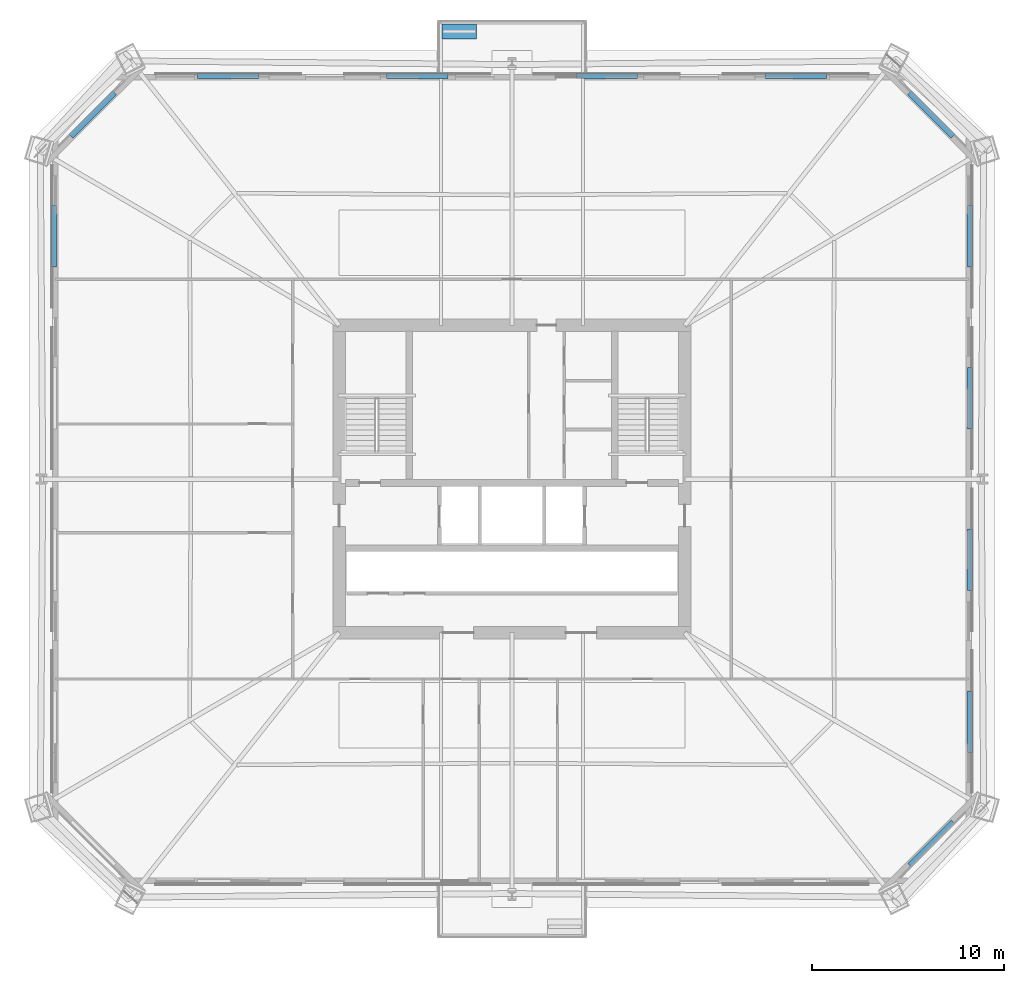
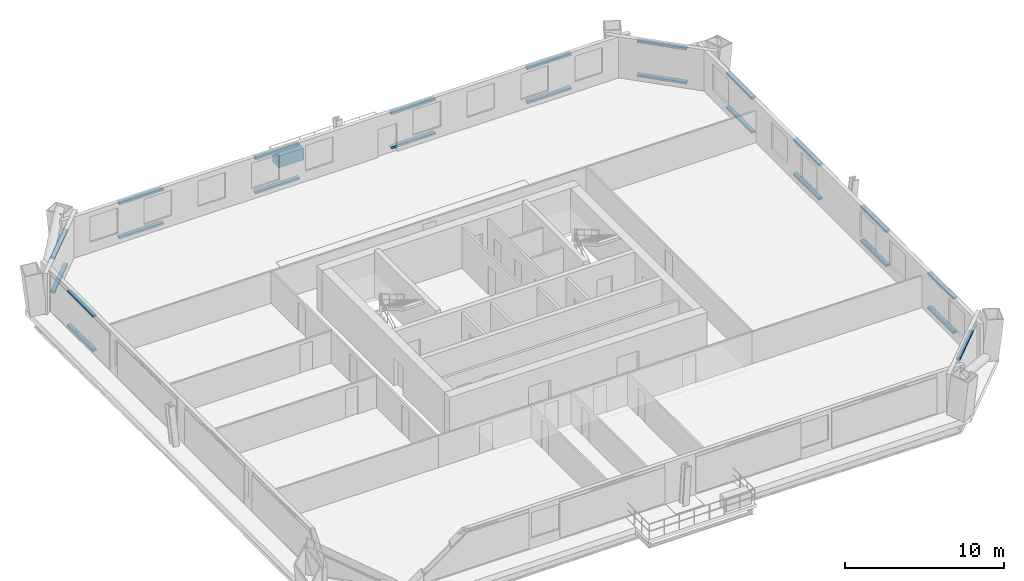
# One storey, part 6 of 8: 24 discrete accessories.
"""IFC4 building model written with IfcOpenShell, lengths in metres."""

from ifc_helpers import new_model, si_unit, direction, frame, origin, origin_2d, place, context, subcontext, project, spatial, rectangle, extrude, material, type_object, element, save


model = new_model("IFC4")

# Units and contexts
model_context = context("Model", 3, precision=1e-05, world=origin(), true_north=direction((0.0, 1.0)))
body_context = subcontext(model_context, "Body", "Model", "MODEL_VIEW")
ifc_project = project(units=[si_unit("LENGTHUNIT", "METRE"), si_unit("AREAUNIT", "SQUARE_METRE"), si_unit("VOLUMEUNIT", "CUBIC_METRE"), si_unit("PLANEANGLEUNIT", "RADIAN"), si_unit("MASSUNIT", "GRAM", prefix="KILO")], contexts=[model_context])

# Site, building, storey
site_placement = place(None, origin())
site = spatial("IfcSite", under=ifc_project, at=site_placement, CompositionType="ELEMENT")
building_placement = place(site_placement, origin())
building = spatial("IfcBuilding", under=site, at=building_placement, Name="Caelvoria Tower", CompositionType="ELEMENT")
storey_placement = place(building_placement, frame((0.0, 0.0, 46.0)))
storey = spatial("IfcBuildingStorey", under=building, at=storey_placement, Name="L11", CompositionType="ELEMENT", Elevation=46.0)

# Discrete accessories
ifc_material_1 = material(Name="Anodised Bronze Stainless Bracket", Category="bronze")
discrete_accessory_type_1 = type_object("IfcDiscreteAccessoryType", Name="Solar Screen Outrigger Support Bracket", PredefinedType="BRACKET", material=ifc_material_1)
for number, where, z_axis, x_axis, name in (
    (1, (67.82861328125, 13.021484375, 2.85009765625), (0.0, 0.0, 1.0), (0.707106781187, 0.707106781187, 0.0), "Upper Screen Band Bracket L11-E1-00"),
    (2, (69.846923828125, 19.3701171875, 0.240234375), (0.0, 0.0, 1.0), (0.0, 1.0, 0.0), "Solar Screen Bracket L11-E2-00"),
    (3, (69.846923828125, 19.3701171875, 2.85009765625), (0.0, 0.0, 1.0), (0.0, 1.0, 0.0), "Upper Screen Band Bracket L11-E2-00"),
    (4, (69.846923828125, 27.7900390625, 0.240234375), (0.0, 0.0, 1.0), (0.0, 1.0, 0.0), "Solar Screen Bracket L11-E2-01"),
    (5, (69.846923828125, 27.7900390625, 2.85009765625), (0.0, 0.0, 1.0), (0.0, 1.0, 0.0), "Upper Screen Band Bracket L11-E2-01"),
    (6, (69.846923828125, 36.2099609375, 0.240234375), (0.0, 0.0, 1.0), (0.0, 1.0, 0.0), "Solar Screen Bracket L11-E2-02"),
    (7, (69.846923828125, 36.2099609375, 2.85009765625), (0.0, 0.0, 1.0), (0.0, 1.0, 0.0), "Upper Screen Band Bracket L11-E2-02"),
    (8, (69.846923828125, 44.6298828125, 0.240234375), (0.0, 0.0, 1.0), (0.0, 1.0, 0.0), "Solar Screen Bracket L11-E2-03"),
    (9, (69.846923828125, 44.6298828125, 2.85009765625), (0.0, 0.0, 1.0), (0.0, 1.0, 0.0), "Upper Screen Band Bracket L11-E2-03"),
    (10, (67.82861328125, 50.978515625, 0.240234375), (0.0, 0.0, 1.0), (-0.707106781187, 0.707106781187, 0.0), "Solar Screen Bracket L11-E3-00"),
    (11, (67.82861328125, 50.978515625, 2.85009765625), (0.0, 0.0, 1.0), (-0.707106781187, 0.707106781187, 0.0), "Upper Screen Band Bracket L11-E3-00"),
    (12, (60.767578125, 52.9970703125, 0.240234375), (0.0, 0.0, 1.0), (-1.0, 0.0, 0.0), "Solar Screen Bracket L11-E4-00"),
    (13, (60.767578125, 52.9970703125, 2.85009765625), (0.0, 0.0, 1.0), (-1.0, 0.0, 0.0), "Upper Screen Band Bracket L11-E4-00"),
    (14, (50.922607421875, 52.9970703125, 0.240234375), (0.0, 0.0, 1.0), (-1.0, 0.0, 0.0), "Solar Screen Bracket L11-E4-01"),
    (15, (50.922607421875, 52.9970703125, 2.85009765625), (0.0, 0.0, 1.0), (-1.0, 0.0, 0.0), "Upper Screen Band Bracket L11-E4-01"),
    (16, (41.077392578125, 52.9970703125, 0.240234375), (0.0, 0.0, 1.0), (-1.0, 0.0, 0.0), "Solar Screen Bracket L11-E4-02"),
    (17, (41.077392578125, 52.9970703125, 2.85009765625), (0.0, 0.0, 1.0), (-1.0, 0.0, 0.0), "Upper Screen Band Bracket L11-E4-02"),
    (18, (31.232421875, 52.9970703125, 0.240234375), (0.0, 0.0, 1.0), (-1.0, 0.0, 0.0), "Solar Screen Bracket L11-E4-03"),
    (19, (31.232421875, 52.9970703125, 2.85009765625), (0.0, 0.0, 1.0), (-1.0, 0.0, 0.0), "Upper Screen Band Bracket L11-E4-03"),
    (20, (24.17138671875, 50.978515625, 0.240234375), (0.0, 0.0, 1.0), (-0.707106781187, -0.707106781187, 0.0), "Solar Screen Bracket L11-E5-00"),
    (21, (24.17138671875, 50.978515625, 2.85009765625), (0.0, 0.0, 1.0), (-0.707106781187, -0.707106781187, 0.0), "Upper Screen Band Bracket L11-E5-00"),
    (22, (22.153076171875, 44.6298828125, 0.240234375), (0.0, 0.0, 1.0), (0.0, -1.0, 0.0), "Solar Screen Bracket L11-E6-00"),
    (23, (22.153076171875, 44.6298828125, 2.85009765625), (0.0, 0.0, 1.0), (0.0, -1.0, 0.0), "Upper Screen Band Bracket L11-E6-00"),
):
    element("IfcDiscreteAccessory", number, at=place(storey_placement, frame(where, z_axis=z_axis, x_axis=x_axis)), inside=storey, type_object=discrete_accessory_type_1, Name=name, PredefinedType="BRACKET", context=body_context, shape_type="SweptSolid", body=[
        extrude(rectangle(XDim=3.199951171875, YDim=0.280029296875, at=origin_2d()), origin(), (0.0, 0.0, 1.0), 0.159912109375),
    ])
ifc_material_2 = material(Name="Bronze-Clad Concrete C40/50 Planter Vessel", Category="concrete")
discrete_accessory_type_2 = type_object("IfcDiscreteAccessoryType", Name="Tree Balcony Structural Planter Vessel PLANTER", PredefinedType="USERDEFINED", material=ifc_material_2)
discrete_accessory_placement = place(storey_placement, frame((43.25, 55.300048828125, 0.0), z_axis=(0.0, 0.0, 1.0), x_axis=(1.0, 0.0, 0.0)))
element("IfcDiscreteAccessory", 24, at=discrete_accessory_placement, inside=storey, type_object=discrete_accessory_type_2, Name="Tree Balcony Planter TB-L11-N", ObjectType="PLANTER", PredefinedType="USERDEFINED", context=body_context, shape_type="SweptSolid", body=[
    extrude(rectangle(XDim=1.800048828125, YDim=0.800048828125, at=origin_2d()), origin(), (0.0, 0.0, 1.0), 0.89990234375),
])

save(model, "model.ifc")
